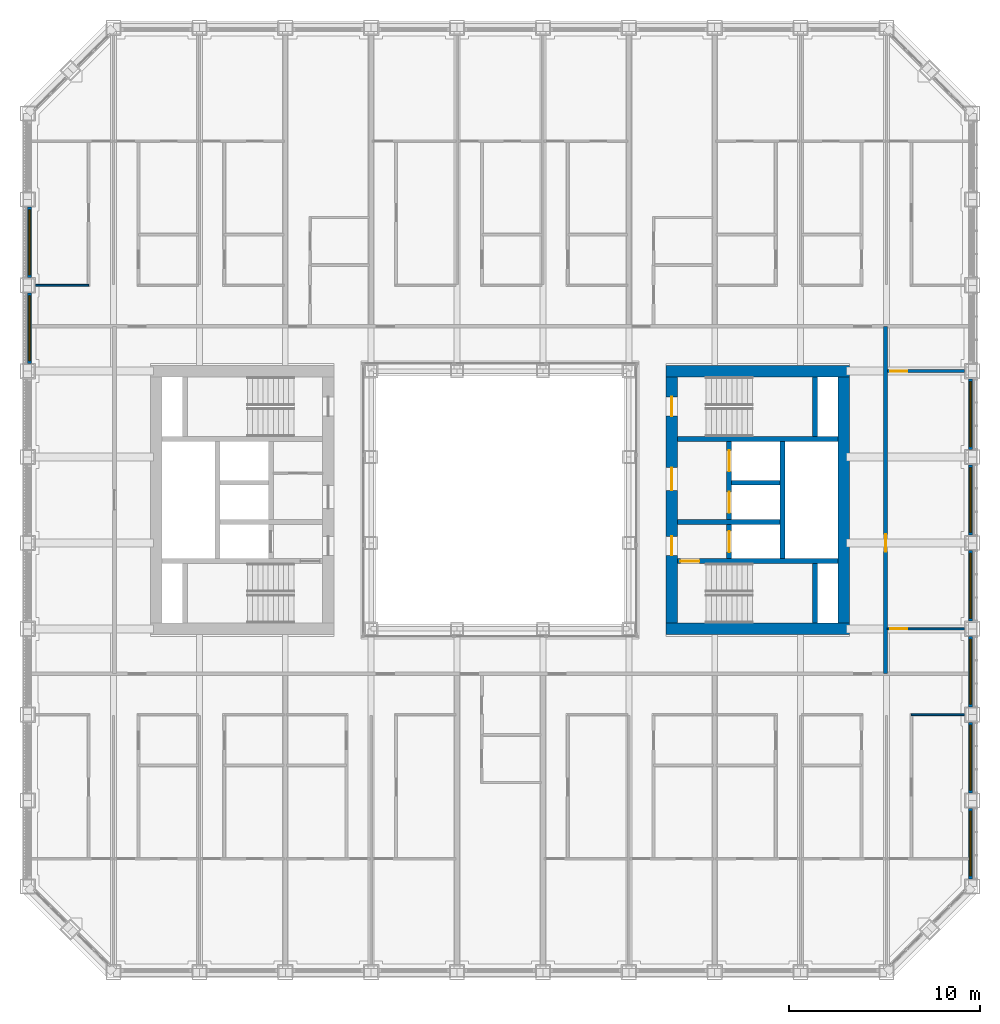
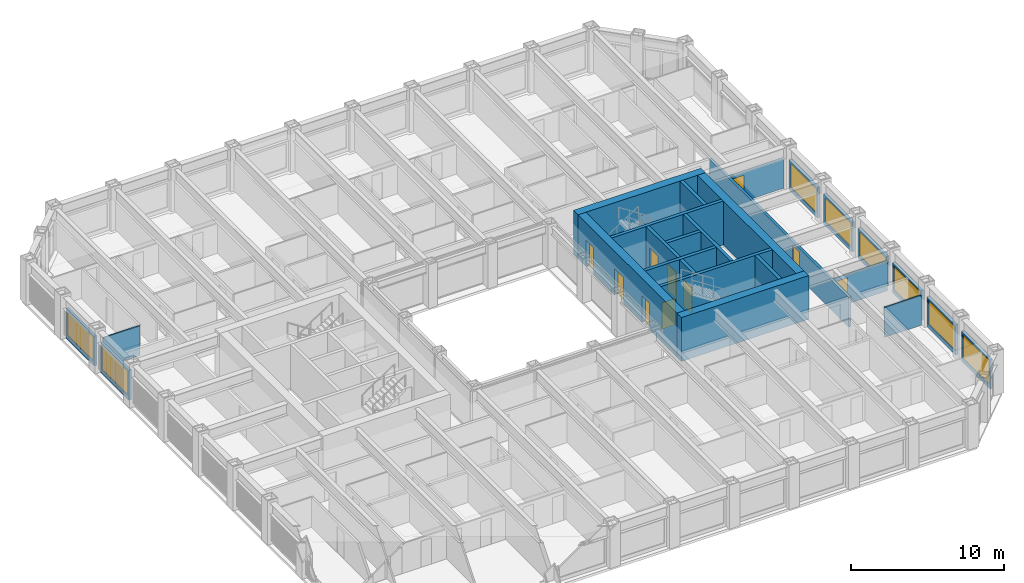
# One storey, part 12 of 20: 25 walls, 10 doors, 8 windows, 18 openings.
"""IFC4 building model written with IfcOpenShell, lengths in metres."""

from ifc_helpers import new_model, si_unit, direction, frame, frame_2d, origin, place, context, subcontext, project, spatial, rectangle, extrude, material, layer, layer_set, type_object, element, fill, save


model = new_model("IFC4")

# Units and contexts
model_context = context("Model", 3, precision=1e-05, world=origin(), true_north=direction((0.0, 1.0)))
body_context = subcontext(model_context, "Body", "Model", "MODEL_VIEW")
ifc_project = project(units=[si_unit("LENGTHUNIT", "METRE"), si_unit("AREAUNIT", "SQUARE_METRE"), si_unit("VOLUMEUNIT", "CUBIC_METRE"), si_unit("PLANEANGLEUNIT", "RADIAN"), si_unit("MASSUNIT", "GRAM", prefix="KILO")], contexts=[model_context])

# Site, building, storey
site_placement = place(None, origin())
site = spatial("IfcSite", under=ifc_project, at=site_placement, CompositionType="ELEMENT")
building_placement = place(site_placement, origin())
building = spatial("IfcBuilding", under=site, at=building_placement, Name="Msasa Ring Tower", CompositionType="ELEMENT")
storey_placement = place(building_placement, frame((0.0, 0.0, 61.5)))
storey = spatial("IfcBuildingStorey", under=building, at=storey_placement, Name="L15", CompositionType="ELEMENT", Elevation=61.5)

# Walls
ifc_material_1 = material(Name="Concrete C60/75", Category="concrete")
ifc_layer_1 = layer(ifc_material_1, 0.60009765625)
ifc_layer_set_1 = layer_set([ifc_layer_1], Name="CW1 CORE WALL 600")
wall_type_1 = type_object("IfcWallType", Name="CW1 CORE WALL 600", PredefinedType="SHEAR", material=ifc_layer_set_1)
for number, where, z_axis, x_axis, name in (
    (1, (8.699951171875, -6.75, 0.0), (0.0, 0.0, 1.0), (1.0, 0.0, 0.0), "E core wall S L15"),
    (2, (8.699951171875, 6.75, 0.0), (0.0, 0.0, 1.0), (1.0, 0.0, 0.0), "E core wall N L15"),
):
    element("IfcWall", number, at=place(storey_placement, frame(where, z_axis=z_axis, x_axis=x_axis)), inside=storey, type_object=wall_type_1, Name=name, PredefinedType="SHEAR", context=body_context, shape_type="SweptSolid", body=[
        extrude(rectangle(XDim=9.60009765625, YDim=0.60009765625, at=frame_2d((4.800048828125, 0.0))), origin(), (0.0, 0.0, 1.0), 3.5),
    ])

# Wall, openings, doors
wall_1_placement = place(storey_placement, frame((9.0, -6.449951171875, 0.0), z_axis=(0.0, 0.0, 1.0), x_axis=(0.0, 1.0, 0.0)))
wall_1 = element("IfcWall", 3, at=wall_1_placement, inside=storey, type_object=wall_type_1, Name="E core wall W L15", PredefinedType="SHEAR", context=body_context, shape_type="SweptSolid", body=[
    extrude(rectangle(XDim=12.89990234375, YDim=0.60009765625, at=frame_2d((6.449951171875, 0.0))), origin(), (0.0, 0.0, 1.0), 3.5),
])
opening_1_placement = place(wall_1_placement, frame((3.550048828125, 0.0, 0.0)))
opening_1 = element("IfcOpeningElement", 4, at=opening_1_placement, cuts=wall_1, Name="Opening RD-043", PredefinedType="OPENING", context=body_context, shape_type="SweptSolid", body=[
    extrude(rectangle(XDim=1.0, YDim=2.10009765625, at=frame_2d((0.5, 1.050048828125))), frame((0.0, 0.31005859375, 0.0), z_axis=(0.0, -1.0, 0.0), x_axis=(1.0, 0.0, 0.0)), (0.0, 0.0, 1.0), 0.6201171875),
])
opening_2_placement = place(wall_1_placement, frame((6.949951171875, 0.0, 0.0)))
opening_2 = element("IfcOpeningElement", 5, at=opening_2_placement, cuts=wall_1, Name="Opening RD-038", PredefinedType="OPENING", context=body_context, shape_type="SweptSolid", body=[
    extrude(rectangle(XDim=1.199951171875, YDim=2.10009765625, at=frame_2d((0.60009765625, 1.050048828125))), frame((0.0, 0.31005859375, 0.0), z_axis=(0.0, -1.0, 0.0), x_axis=(1.0, 0.0, 0.0)), (0.0, 0.0, 1.0), 0.6201171875),
])
opening_3_placement = place(wall_1_placement, frame((10.85009765625, 0.0, 0.0)))
opening_3 = element("IfcOpeningElement", 6, at=opening_3_placement, cuts=wall_1, Name="Opening RD-036", PredefinedType="OPENING", context=body_context, shape_type="SweptSolid", body=[
    extrude(rectangle(XDim=1.0, YDim=2.10009765625, at=frame_2d((0.5, 1.050048828125))), frame((0.0, 0.31005859375, 0.0), z_axis=(0.0, -1.0, 0.0), x_axis=(1.0, 0.0, 0.0)), (0.0, 0.0, 1.0), 0.6201171875),
])
ifc_material_2 = material(Name="Timber door leaf in a steel frame", Category="steel")
door_type_1 = type_object("IfcDoorType", Name="D4 LOBBY DOOR 1000x2100", OperationType="SINGLE_SWING_LEFT", PredefinedType="DOOR", material=ifc_material_2)
door_1_placement = place(opening_1_placement, origin())
door_1 = element("IfcDoor", 7, at=door_1_placement, inside=storey, type_object=door_type_1, Name="Door L15-EFFL", OperationType="SINGLE_SWING_LEFT", OverallHeight=2.10009765625, OverallWidth=1.0, PredefinedType="DOOR", context=body_context, shape_type="SweptSolid", body=[
    extrude(rectangle(XDim=1.0, YDim=2.10009765625, at=frame_2d((0.5, 1.050048828125))), frame((0.0, 0.02490234375, 0.0), z_axis=(0.0, -1.0, 0.0), x_axis=(1.0, 0.0, 0.0)), (0.0, 0.0, 1.0), 0.050048828125),
])
fill(opening_1, door_1)
ifc_material_3 = material(Name="Timber door leaf in a steel frame", Category="steel")
door_type_2 = type_object("IfcDoorType", Name="D5 WIDE LOBBY DOOR 1200x2100", OperationType="SINGLE_SWING_LEFT", PredefinedType="DOOR", material=ifc_material_3)
door_2_placement = place(opening_2_placement, origin())
door_2 = element("IfcDoor", 8, at=door_2_placement, inside=storey, type_object=door_type_2, Name="Door L15-ELL", OperationType="SINGLE_SWING_RIGHT", OverallHeight=2.10009765625, OverallWidth=1.199951171875, PredefinedType="DOOR", context=body_context, shape_type="SweptSolid", body=[
    extrude(rectangle(XDim=1.199951171875, YDim=2.10009765625, at=frame_2d((0.60009765625, 1.050048828125))), frame((0.0, 0.02490234375, 0.0), z_axis=(0.0, -1.0, 0.0), x_axis=(1.0, 0.0, 0.0)), (0.0, 0.0, 1.0), 0.050048828125),
])
fill(opening_2, door_2)
ifc_material_4 = material(Name="Timber door leaf in a steel frame", Category="steel")
door_type_3 = type_object("IfcDoorType", Name="D6 STAIR DOOR 1000x2100", OperationType="SINGLE_SWING_LEFT", PredefinedType="DOOR", material=ifc_material_4)
door_3_placement = place(opening_3_placement, origin())
door_3 = element("IfcDoor", 9, at=door_3_placement, inside=storey, type_object=door_type_3, Name="Door L15-ESTB", OperationType="SINGLE_SWING_RIGHT", OverallHeight=2.10009765625, OverallWidth=1.0, PredefinedType="DOOR", context=body_context, shape_type="SweptSolid", body=[
    extrude(rectangle(XDim=1.0, YDim=2.10009765625, at=frame_2d((0.5, 1.050048828125))), frame((0.0, 0.02490234375, 0.0), z_axis=(0.0, -1.0, 0.0), x_axis=(1.0, 0.0, 0.0)), (0.0, 0.0, 1.0), 0.050048828125),
])
fill(opening_3, door_3)

# Wall
wall_2_placement = place(storey_placement, frame((18.0, -6.449951171875, 0.0), z_axis=(0.0, 0.0, 1.0), x_axis=(0.0, 1.0, 0.0)))
element("IfcWall", 10, at=wall_2_placement, inside=storey, type_object=wall_type_1, Name="E core wall E L15", PredefinedType="SHEAR", context=body_context, shape_type="SweptSolid", body=[
    extrude(rectangle(XDim=12.89990234375, YDim=0.60009765625, at=frame_2d((6.449951171875, 0.0))), origin(), (0.0, 0.0, 1.0), 3.5),
])

# Wall, opening, door
ifc_material_5 = material(Name="Concrete C60/75", Category="concrete")
ifc_layer_2 = layer(ifc_material_5, 0.25)
ifc_layer_set_2 = layer_set([ifc_layer_2], Name="CW4 CORE INNER WALL 250")
wall_type_2 = type_object("IfcWallType", Name="CW4 CORE INNER WALL 250", PredefinedType="SHEAR", material=ifc_layer_set_2)
wall_3_placement = place(storey_placement, frame((9.300048828125, -3.199951171875, 0.0), z_axis=(0.0, 0.0, 1.0), x_axis=(1.0, 0.0, 0.0)))
wall_3 = element("IfcWall", 11, at=wall_3_placement, inside=storey, type_object=wall_type_2, Name="E core wall STAIRA L15", PredefinedType="SHEAR", context=body_context, shape_type="SweptSolid", body=[
    extrude(rectangle(XDim=8.39990234375, YDim=0.25, at=frame_2d((4.199951171875, 0.0))), origin(), (0.0, 0.0, 1.0), 3.5),
])
opening_4_placement = place(wall_3_placement, frame((0.14990234375, 0.0, 0.0)))
opening_4 = element("IfcOpeningElement", 12, at=opening_4_placement, cuts=wall_3, Name="Opening RD-045", PredefinedType="OPENING", context=body_context, shape_type="SweptSolid", body=[
    extrude(rectangle(XDim=1.0, YDim=2.10009765625, at=frame_2d((0.5, 1.050048828125))), frame((0.0, 0.135009765625, 0.0), z_axis=(0.0, -1.0, 0.0), x_axis=(1.0, 0.0, 0.0)), (0.0, 0.0, 1.0), 0.27001953125),
])
door_4_placement = place(opening_4_placement, origin())
door_4 = element("IfcDoor", 13, at=door_4_placement, inside=storey, type_object=door_type_3, Name="Door L15-ESTA", OperationType="SINGLE_SWING_LEFT", OverallHeight=2.10009765625, OverallWidth=1.0, PredefinedType="DOOR", context=body_context, shape_type="SweptSolid", body=[
    extrude(rectangle(XDim=1.0, YDim=2.10009765625, at=frame_2d((0.5, 1.050048828125))), frame((0.0, 0.02490234375, 0.0), z_axis=(0.0, -1.0, 0.0), x_axis=(1.0, 0.0, 0.0)), (0.0, 0.0, 1.0), 0.050048828125),
])
fill(opening_4, door_4)

# Walls
wall_4_placement = place(storey_placement, frame((9.300048828125, 3.199951171875, 0.0), z_axis=(0.0, 0.0, 1.0), x_axis=(1.0, 0.0, 0.0)))
element("IfcWall", 14, at=wall_4_placement, inside=storey, type_object=wall_type_2, Name="E core wall STAIRB L15", PredefinedType="SHEAR", context=body_context, shape_type="SweptSolid", body=[
    extrude(rectangle(XDim=8.39990234375, YDim=0.25, at=frame_2d((4.199951171875, 0.0))), origin(), (0.0, 0.0, 1.0), 3.5),
])
for number, where, z_axis, x_axis, name in (
    (15, (16.5, -6.449951171875, 0.0), (0.0, 0.0, 1.0), (0.0, 1.0, 0.0), "E core wall RISERA L15"),
    (16, (16.5, 3.324951171875, 0.0), (0.0, 0.0, 1.0), (0.0, 1.0, 0.0), "E core wall RISERB L15"),
):
    element("IfcWall", number, at=place(storey_placement, frame(where, z_axis=z_axis, x_axis=x_axis)), inside=storey, type_object=wall_type_2, Name=name, PredefinedType="SHEAR", context=body_context, shape_type="SweptSolid", body=[
        extrude(rectangle(XDim=3.125, YDim=0.25, at=frame_2d((1.5625, 0.0))), origin(), (0.0, 0.0, 1.0), 3.5),
    ])
wall_5_placement = place(storey_placement, frame((9.300048828125, -1.14990234375, 0.0), z_axis=(0.0, 0.0, 1.0), x_axis=(1.0, 0.0, 0.0)))
element("IfcWall", 17, at=wall_5_placement, inside=storey, type_object=wall_type_2, Name="E core wall FFL L15", PredefinedType="SHEAR", context=body_context, shape_type="SweptSolid", body=[
    extrude(rectangle(XDim=5.375, YDim=0.25, at=frame_2d((2.6875, 0.0))), origin(), (0.0, 0.0, 1.0), 3.5),
])

# Wall, openings, doors
wall_6_placement = place(storey_placement, frame((12.0, -3.074951171875, 0.0), z_axis=(0.0, 0.0, 1.0), x_axis=(0.0, 1.0, 0.0)))
wall_6 = element("IfcWall", 18, at=wall_6_placement, inside=storey, type_object=wall_type_2, Name="E core wall LOBBY L15", PredefinedType="SHEAR", context=body_context, shape_type="SweptSolid", body=[
    extrude(rectangle(XDim=6.14990234375, YDim=0.25, at=frame_2d((3.074951171875, 0.0))), origin(), (0.0, 0.0, 1.0), 3.5),
])
opening_5_placement = place(wall_6_placement, frame((0.35009765625, 0.0, 0.0)))
opening_5 = element("IfcOpeningElement", 19, at=opening_5_placement, cuts=wall_6, Name="Opening LD1", PredefinedType="OPENING", context=body_context, shape_type="SweptSolid", body=[
    extrude(rectangle(XDim=1.10009765625, YDim=2.10009765625, at=frame_2d((0.550048828125, 1.050048828125))), frame((0.0, 0.135009765625, 0.0), z_axis=(0.0, -1.0, 0.0), x_axis=(1.0, 0.0, 0.0)), (0.0, 0.0, 1.0), 0.27001953125),
])
opening_6_placement = place(wall_6_placement, frame((2.39990234375, 0.0, 0.0)))
opening_6 = element("IfcOpeningElement", 20, at=opening_6_placement, cuts=wall_6, Name="Opening LD1", PredefinedType="OPENING", context=body_context, shape_type="SweptSolid", body=[
    extrude(rectangle(XDim=1.10009765625, YDim=2.10009765625, at=frame_2d((0.550048828125, 1.050048828125))), frame((0.0, 0.135009765625, 0.0), z_axis=(0.0, -1.0, 0.0), x_axis=(1.0, 0.0, 0.0)), (0.0, 0.0, 1.0), 0.27001953125),
])
opening_7_placement = place(wall_6_placement, frame((4.574951171875, 0.0, 0.0)))
opening_7 = element("IfcOpeningElement", 21, at=opening_7_placement, cuts=wall_6, Name="Opening LD1", PredefinedType="OPENING", context=body_context, shape_type="SweptSolid", body=[
    extrude(rectangle(XDim=1.10009765625, YDim=2.10009765625, at=frame_2d((0.550048828125, 1.050048828125))), frame((0.0, 0.135009765625, 0.0), z_axis=(0.0, -1.0, 0.0), x_axis=(1.0, 0.0, 0.0)), (0.0, 0.0, 1.0), 0.27001953125),
])
ifc_material_6 = material(Name="Stainless steel lift landing door", Category="steel")
door_type_4 = type_object("IfcDoorType", Name="LD1 LIFT LANDING DOOR 1100x2100", OperationType="DOUBLE_DOOR_SLIDING", PredefinedType="DOOR", material=ifc_material_6)
door_5_placement = place(opening_5_placement, origin())
door_5 = element("IfcDoor", 22, at=door_5_placement, inside=storey, type_object=door_type_4, Name="Lift landing door FL-E L15", OperationType="DOUBLE_DOOR_SLIDING", OverallHeight=2.10009765625, OverallWidth=1.10009765625, PredefinedType="DOOR", context=body_context, shape_type="SweptSolid", body=[
    extrude(rectangle(XDim=1.10009765625, YDim=2.10009765625, at=frame_2d((0.550048828125, 1.050048828125))), frame((0.0, 0.02490234375, 0.0), z_axis=(0.0, -1.0, 0.0), x_axis=(1.0, 0.0, 0.0)), (0.0, 0.0, 1.0), 0.050048828125),
])
fill(opening_5, door_5)
door_6_placement = place(opening_6_placement, origin())
door_6 = element("IfcDoor", 23, at=door_6_placement, inside=storey, type_object=door_type_4, Name="Lift landing door PL-R1 L15", OperationType="DOUBLE_DOOR_SLIDING", OverallHeight=2.10009765625, OverallWidth=1.10009765625, PredefinedType="DOOR", context=body_context, shape_type="SweptSolid", body=[
    extrude(rectangle(XDim=1.10009765625, YDim=2.10009765625, at=frame_2d((0.550048828125, 1.050048828125))), frame((0.0, 0.02490234375, 0.0), z_axis=(0.0, -1.0, 0.0), x_axis=(1.0, 0.0, 0.0)), (0.0, 0.0, 1.0), 0.050048828125),
])
fill(opening_6, door_6)
door_7_placement = place(opening_7_placement, origin())
door_7 = element("IfcDoor", 24, at=door_7_placement, inside=storey, type_object=door_type_4, Name="Lift landing door PL-R2 L15", OperationType="DOUBLE_DOOR_SLIDING", OverallHeight=2.10009765625, OverallWidth=1.10009765625, PredefinedType="DOOR", context=body_context, shape_type="SweptSolid", body=[
    extrude(rectangle(XDim=1.10009765625, YDim=2.10009765625, at=frame_2d((0.550048828125, 1.050048828125))), frame((0.0, 0.02490234375, 0.0), z_axis=(0.0, -1.0, 0.0), x_axis=(1.0, 0.0, 0.0)), (0.0, 0.0, 1.0), 0.050048828125),
])
fill(opening_7, door_7)

# Walls
wall_7_placement = place(storey_placement, frame((14.800048828125, -3.074951171875, 0.0), z_axis=(0.0, 0.0, 1.0), x_axis=(0.0, 1.0, 0.0)))
element("IfcWall", 25, at=wall_7_placement, inside=storey, type_object=wall_type_2, Name="E core wall SHAFT L15", PredefinedType="SHEAR", context=body_context, shape_type="SweptSolid", body=[
    extrude(rectangle(XDim=6.14990234375, YDim=0.25, at=frame_2d((3.074951171875, 0.0))), origin(), (0.0, 0.0, 1.0), 3.5),
])
wall_8_placement = place(storey_placement, frame((12.125, 0.89990234375, 0.0), z_axis=(0.0, 0.0, 1.0), x_axis=(1.0, 0.0, 0.0)))
element("IfcWall", 26, at=wall_8_placement, inside=storey, type_object=wall_type_2, Name="E core wall LIFT1 L15", PredefinedType="SHEAR", context=body_context, shape_type="SweptSolid", body=[
    extrude(rectangle(XDim=2.550048828125, YDim=0.25, at=frame_2d((1.27490234375, 0.0))), origin(), (0.0, 0.0, 1.0), 3.5),
])

# Wall, opening, window
ifc_material_7 = material(Name="Terracotta rainscreen on blockwork", Category="masonry")
ifc_layer_3 = layer(ifc_material_7, 0.199951171875)
ifc_layer_set_3 = layer_set([ifc_layer_3], Name="FW1 TERRACOTTA-LINED INFILL BAY WALL 200")
wall_type_3 = type_object("IfcWallType", Name="FW1 TERRACOTTA-LINED INFILL BAY WALL 200", PredefinedType="SOLIDWALL", material=ifc_layer_set_3)
wall_9_placement = place(storey_placement, frame((24.64990234375, -19.844970703125, 0.0), z_axis=(0.0, 0.0, 1.0), x_axis=(0.0, 1.0, 0.0)))
wall_9 = element("IfcWall", 27, at=wall_9_placement, inside=storey, type_object=wall_type_3, Name="Infill bay wall E L15 11", PredefinedType="SOLIDWALL", context=body_context, shape_type="SweptSolid", body=[
    extrude(rectangle(XDim=3.68994140625, YDim=0.199951171875, at=frame_2d((1.844970703125, 0.0))), origin(), (0.0, 0.0, 1.0), 2.37890625),
])
opening_8_placement = place(wall_9_placement, frame((0.14501953125, 0.0, 0.300048828125)))
opening_8 = element("IfcOpeningElement", 28, at=opening_8_placement, cuts=wall_9, Name="Opening WN1", PredefinedType="OPENING", context=body_context, shape_type="SweptSolid", body=[
    extrude(rectangle(XDim=3.39990234375, YDim=1.928955078125, at=frame_2d((1.699951171875, 0.96435546875))), frame((0.0, 0.10986328125, 0.0), z_axis=(0.0, -1.0, 0.0), x_axis=(1.0, 0.0, 0.0)), (0.0, 0.0, 1.0), 0.219970703125),
])
ifc_material_8 = material(Name="Aluminium frame with clear glass", Category="aluminium")
window_type = type_object("IfcWindowType", Name="WN1 RESIDENCE WINDOW 3400x1929", PartitioningType="SINGLE_PANEL", PredefinedType="WINDOW", material=ifc_material_8)
window_1_placement = place(opening_8_placement, origin())
window_1 = element("IfcWindow", 29, at=window_1_placement, inside=storey, type_object=window_type, Name="Window E L15 11", OverallHeight=1.928955078125, OverallWidth=3.39990234375, PartitioningType="SINGLE_PANEL", PredefinedType="WINDOW", context=body_context, shape_type="SweptSolid", body=[
    extrude(rectangle(XDim=3.39990234375, YDim=1.928955078125, at=frame_2d((1.699951171875, 0.96435546875))), frame((0.0, 0.030029296875, 0.0), z_axis=(0.0, -1.0, 0.0), x_axis=(1.0, 0.0, 0.0)), (0.0, 0.0, 1.0), 0.06005859375),
])
fill(opening_8, window_1)

wall_10_placement = place(storey_placement, frame((24.64990234375, -15.344970703125, 0.0), z_axis=(0.0, 0.0, 1.0), x_axis=(0.0, 1.0, 0.0)))
wall_10 = element("IfcWall", 30, at=wall_10_placement, inside=storey, type_object=wall_type_3, Name="Infill bay wall E L15 12", PredefinedType="SOLIDWALL", context=body_context, shape_type="SweptSolid", body=[
    extrude(rectangle(XDim=3.68994140625, YDim=0.199951171875, at=frame_2d((1.844970703125, 0.0))), origin(), (0.0, 0.0, 1.0), 2.37890625),
])
opening_9_placement = place(wall_10_placement, frame((0.14501953125, 0.0, 0.300048828125)))
opening_9 = element("IfcOpeningElement", 31, at=opening_9_placement, cuts=wall_10, Name="Opening WN1", PredefinedType="OPENING", context=body_context, shape_type="SweptSolid", body=[
    extrude(rectangle(XDim=3.39990234375, YDim=1.928955078125, at=frame_2d((1.699951171875, 0.96435546875))), frame((0.0, 0.10986328125, 0.0), z_axis=(0.0, -1.0, 0.0), x_axis=(1.0, 0.0, 0.0)), (0.0, 0.0, 1.0), 0.219970703125),
])
window_2_placement = place(opening_9_placement, origin())
window_2 = element("IfcWindow", 32, at=window_2_placement, inside=storey, type_object=window_type, Name="Window E L15 12", OverallHeight=1.928955078125, OverallWidth=3.39990234375, PartitioningType="SINGLE_PANEL", PredefinedType="WINDOW", context=body_context, shape_type="SweptSolid", body=[
    extrude(rectangle(XDim=3.39990234375, YDim=1.928955078125, at=frame_2d((1.699951171875, 0.96435546875))), frame((0.0, 0.030029296875, 0.0), z_axis=(0.0, -1.0, 0.0), x_axis=(1.0, 0.0, 0.0)), (0.0, 0.0, 1.0), 0.06005859375),
])
fill(opening_9, window_2)

wall_11_placement = place(storey_placement, frame((24.64990234375, -10.844970703125, 0.0), z_axis=(0.0, 0.0, 1.0), x_axis=(0.0, 1.0, 0.0)))
wall_11 = element("IfcWall", 33, at=wall_11_placement, inside=storey, type_object=wall_type_3, Name="Infill bay wall E L15 13", PredefinedType="SOLIDWALL", context=body_context, shape_type="SweptSolid", body=[
    extrude(rectangle(XDim=3.68994140625, YDim=0.199951171875, at=frame_2d((1.844970703125, 0.0))), origin(), (0.0, 0.0, 1.0), 2.37890625),
])
opening_10_placement = place(wall_11_placement, frame((0.14501953125, 0.0, 0.300048828125)))
opening_10 = element("IfcOpeningElement", 34, at=opening_10_placement, cuts=wall_11, Name="Opening WN1", PredefinedType="OPENING", context=body_context, shape_type="SweptSolid", body=[
    extrude(rectangle(XDim=3.39990234375, YDim=1.928955078125, at=frame_2d((1.699951171875, 0.96435546875))), frame((0.0, 0.10986328125, 0.0), z_axis=(0.0, -1.0, 0.0), x_axis=(1.0, 0.0, 0.0)), (0.0, 0.0, 1.0), 0.219970703125),
])
window_3_placement = place(opening_10_placement, origin())
window_3 = element("IfcWindow", 35, at=window_3_placement, inside=storey, type_object=window_type, Name="Window E L15 13", OverallHeight=1.928955078125, OverallWidth=3.39990234375, PartitioningType="SINGLE_PANEL", PredefinedType="WINDOW", context=body_context, shape_type="SweptSolid", body=[
    extrude(rectangle(XDim=3.39990234375, YDim=1.928955078125, at=frame_2d((1.699951171875, 0.96435546875))), frame((0.0, 0.030029296875, 0.0), z_axis=(0.0, -1.0, 0.0), x_axis=(1.0, 0.0, 0.0)), (0.0, 0.0, 1.0), 0.06005859375),
])
fill(opening_10, window_3)

wall_12_placement = place(storey_placement, frame((24.64990234375, -6.344970703125, 0.0), z_axis=(0.0, 0.0, 1.0), x_axis=(0.0, 1.0, 0.0)))
wall_12 = element("IfcWall", 36, at=wall_12_placement, inside=storey, type_object=wall_type_3, Name="Infill bay wall E L15 14", PredefinedType="SOLIDWALL", context=body_context, shape_type="SweptSolid", body=[
    extrude(rectangle(XDim=3.68994140625, YDim=0.199951171875, at=frame_2d((1.844970703125, 0.0))), origin(), (0.0, 0.0, 1.0), 2.37890625),
])
opening_11_placement = place(wall_12_placement, frame((0.14501953125, 0.0, 0.300048828125)))
opening_11 = element("IfcOpeningElement", 37, at=opening_11_placement, cuts=wall_12, Name="Opening WN1", PredefinedType="OPENING", context=body_context, shape_type="SweptSolid", body=[
    extrude(rectangle(XDim=3.39990234375, YDim=1.928955078125, at=frame_2d((1.699951171875, 0.96435546875))), frame((0.0, 0.10986328125, 0.0), z_axis=(0.0, -1.0, 0.0), x_axis=(1.0, 0.0, 0.0)), (0.0, 0.0, 1.0), 0.219970703125),
])
window_4_placement = place(opening_11_placement, origin())
window_4 = element("IfcWindow", 38, at=window_4_placement, inside=storey, type_object=window_type, Name="Window E L15 14", OverallHeight=1.928955078125, OverallWidth=3.39990234375, PartitioningType="SINGLE_PANEL", PredefinedType="WINDOW", context=body_context, shape_type="SweptSolid", body=[
    extrude(rectangle(XDim=3.39990234375, YDim=1.928955078125, at=frame_2d((1.699951171875, 0.96435546875))), frame((0.0, 0.030029296875, 0.0), z_axis=(0.0, -1.0, 0.0), x_axis=(1.0, 0.0, 0.0)), (0.0, 0.0, 1.0), 0.06005859375),
])
fill(opening_11, window_4)

wall_13_placement = place(storey_placement, frame((24.64990234375, -1.844970703125, 0.0), z_axis=(0.0, 0.0, 1.0), x_axis=(0.0, 1.0, 0.0)))
wall_13 = element("IfcWall", 39, at=wall_13_placement, inside=storey, type_object=wall_type_3, Name="Infill bay wall E L15 15", PredefinedType="SOLIDWALL", context=body_context, shape_type="SweptSolid", body=[
    extrude(rectangle(XDim=3.68994140625, YDim=0.199951171875, at=frame_2d((1.844970703125, 0.0))), origin(), (0.0, 0.0, 1.0), 2.37890625),
])
opening_12_placement = place(wall_13_placement, frame((0.14501953125, 0.0, 0.300048828125)))
opening_12 = element("IfcOpeningElement", 40, at=opening_12_placement, cuts=wall_13, Name="Opening WN1", PredefinedType="OPENING", context=body_context, shape_type="SweptSolid", body=[
    extrude(rectangle(XDim=3.39990234375, YDim=1.928955078125, at=frame_2d((1.699951171875, 0.96435546875))), frame((0.0, 0.10986328125, 0.0), z_axis=(0.0, -1.0, 0.0), x_axis=(1.0, 0.0, 0.0)), (0.0, 0.0, 1.0), 0.219970703125),
])
window_5_placement = place(opening_12_placement, origin())
window_5 = element("IfcWindow", 41, at=window_5_placement, inside=storey, type_object=window_type, Name="Window E L15 15", OverallHeight=1.928955078125, OverallWidth=3.39990234375, PartitioningType="SINGLE_PANEL", PredefinedType="WINDOW", context=body_context, shape_type="SweptSolid", body=[
    extrude(rectangle(XDim=3.39990234375, YDim=1.928955078125, at=frame_2d((1.699951171875, 0.96435546875))), frame((0.0, 0.030029296875, 0.0), z_axis=(0.0, -1.0, 0.0), x_axis=(1.0, 0.0, 0.0)), (0.0, 0.0, 1.0), 0.06005859375),
])
fill(opening_12, window_5)

wall_14_placement = place(storey_placement, frame((24.64990234375, 2.655029296875, 0.0), z_axis=(0.0, 0.0, 1.0), x_axis=(0.0, 1.0, 0.0)))
wall_14 = element("IfcWall", 42, at=wall_14_placement, inside=storey, type_object=wall_type_3, Name="Infill bay wall E L15 16", PredefinedType="SOLIDWALL", context=body_context, shape_type="SweptSolid", body=[
    extrude(rectangle(XDim=3.68994140625, YDim=0.199951171875, at=frame_2d((1.844970703125, 0.0))), origin(), (0.0, 0.0, 1.0), 2.37890625),
])
opening_13_placement = place(wall_14_placement, frame((0.14501953125, 0.0, 0.300048828125)))
opening_13 = element("IfcOpeningElement", 43, at=opening_13_placement, cuts=wall_14, Name="Opening WN1", PredefinedType="OPENING", context=body_context, shape_type="SweptSolid", body=[
    extrude(rectangle(XDim=3.39990234375, YDim=1.928955078125, at=frame_2d((1.699951171875, 0.96435546875))), frame((0.0, 0.10986328125, 0.0), z_axis=(0.0, -1.0, 0.0), x_axis=(1.0, 0.0, 0.0)), (0.0, 0.0, 1.0), 0.219970703125),
])
window_6_placement = place(opening_13_placement, origin())
window_6 = element("IfcWindow", 44, at=window_6_placement, inside=storey, type_object=window_type, Name="Window E L15 16", OverallHeight=1.928955078125, OverallWidth=3.39990234375, PartitioningType="SINGLE_PANEL", PredefinedType="WINDOW", context=body_context, shape_type="SweptSolid", body=[
    extrude(rectangle(XDim=3.39990234375, YDim=1.928955078125, at=frame_2d((1.699951171875, 0.96435546875))), frame((0.0, 0.030029296875, 0.0), z_axis=(0.0, -1.0, 0.0), x_axis=(1.0, 0.0, 0.0)), (0.0, 0.0, 1.0), 0.06005859375),
])
fill(opening_13, window_6)

wall_15_placement = place(storey_placement, frame((-24.64990234375, 7.155029296875, 0.0), z_axis=(0.0, 0.0, 1.0), x_axis=(0.0, 1.0, 0.0)))
wall_15 = element("IfcWall", 45, at=wall_15_placement, inside=storey, type_object=wall_type_3, Name="Infill bay wall W L15 39", PredefinedType="SOLIDWALL", context=body_context, shape_type="SweptSolid", body=[
    extrude(rectangle(XDim=3.68994140625, YDim=0.199951171875, at=frame_2d((1.844970703125, 0.0))), origin(), (0.0, 0.0, 1.0), 2.37890625),
])
opening_14_placement = place(wall_15_placement, frame((0.14501953125, 0.0, 0.300048828125)))
opening_14 = element("IfcOpeningElement", 46, at=opening_14_placement, cuts=wall_15, Name="Opening WN1", PredefinedType="OPENING", context=body_context, shape_type="SweptSolid", body=[
    extrude(rectangle(XDim=3.39990234375, YDim=1.928955078125, at=frame_2d((1.699951171875, 0.96435546875))), frame((0.0, 0.10986328125, 0.0), z_axis=(0.0, -1.0, 0.0), x_axis=(1.0, 0.0, 0.0)), (0.0, 0.0, 1.0), 0.219970703125),
])
window_7_placement = place(opening_14_placement, origin())
window_7 = element("IfcWindow", 47, at=window_7_placement, inside=storey, type_object=window_type, Name="Window W L15 39", OverallHeight=1.928955078125, OverallWidth=3.39990234375, PartitioningType="SINGLE_PANEL", PredefinedType="WINDOW", context=body_context, shape_type="SweptSolid", body=[
    extrude(rectangle(XDim=3.39990234375, YDim=1.928955078125, at=frame_2d((1.699951171875, 0.96435546875))), frame((0.0, 0.030029296875, 0.0), z_axis=(0.0, -1.0, 0.0), x_axis=(1.0, 0.0, 0.0)), (0.0, 0.0, 1.0), 0.06005859375),
])
fill(opening_14, window_7)

wall_16_placement = place(storey_placement, frame((-24.64990234375, 11.655029296875, 0.0), z_axis=(0.0, 0.0, 1.0), x_axis=(0.0, 1.0, 0.0)))
wall_16 = element("IfcWall", 48, at=wall_16_placement, inside=storey, type_object=wall_type_3, Name="Infill bay wall W L15 40", PredefinedType="SOLIDWALL", context=body_context, shape_type="SweptSolid", body=[
    extrude(rectangle(XDim=3.68994140625, YDim=0.199951171875, at=frame_2d((1.844970703125, 0.0))), origin(), (0.0, 0.0, 1.0), 2.37890625),
])
opening_15_placement = place(wall_16_placement, frame((0.14501953125, 0.0, 0.300048828125)))
opening_15 = element("IfcOpeningElement", 49, at=opening_15_placement, cuts=wall_16, Name="Opening WN1", PredefinedType="OPENING", context=body_context, shape_type="SweptSolid", body=[
    extrude(rectangle(XDim=3.39990234375, YDim=1.928955078125, at=frame_2d((1.699951171875, 0.96435546875))), frame((0.0, 0.10986328125, 0.0), z_axis=(0.0, -1.0, 0.0), x_axis=(1.0, 0.0, 0.0)), (0.0, 0.0, 1.0), 0.219970703125),
])
window_8_placement = place(opening_15_placement, origin())
window_8 = element("IfcWindow", 50, at=window_8_placement, inside=storey, type_object=window_type, Name="Window W L15 40", OverallHeight=1.928955078125, OverallWidth=3.39990234375, PartitioningType="SINGLE_PANEL", PredefinedType="WINDOW", context=body_context, shape_type="SweptSolid", body=[
    extrude(rectangle(XDim=3.39990234375, YDim=1.928955078125, at=frame_2d((1.699951171875, 0.96435546875))), frame((0.0, 0.030029296875, 0.0), z_axis=(0.0, -1.0, 0.0), x_axis=(1.0, 0.0, 0.0)), (0.0, 0.0, 1.0), 0.06005859375),
])
fill(opening_15, window_8)

# Wall, opening, door
ifc_material_9 = material(Name="Concrete blockwork", Category="masonry")
ifc_layer_4 = layer(ifc_material_9, 0.199951171875)
ifc_layer_set_4 = layer_set([ifc_layer_4], Name="PT1 CORRIDOR WALL 200")
wall_type_4 = type_object("IfcWallType", Name="PT1 CORRIDOR WALL 200", PredefinedType="PARTITIONING", material=ifc_layer_set_4)
wall_17_placement = place(storey_placement, frame((20.199951171875, -9.10009765625, 0.0), z_axis=(0.0, 0.0, 1.0), x_axis=(0.0, 1.0, 0.0)))
wall_17 = element("IfcWall", 51, at=wall_17_placement, inside=storey, type_object=wall_type_4, Name="Corridor wall L15-STRE", PredefinedType="PARTITIONING", context=body_context, shape_type="SweptSolid", body=[
    extrude(rectangle(XDim=18.2001953125, YDim=0.199951171875, at=frame_2d((9.10009765625, 0.0))), origin(), (0.0, 0.0, 1.0), 2.373291015625),
])
opening_16_placement = place(wall_17_placement, frame((6.39990234375, 0.0, 0.0)))
opening_16 = element("IfcOpeningElement", 52, at=opening_16_placement, cuts=wall_17, Name="Opening RD-041", PredefinedType="OPENING", context=body_context, shape_type="SweptSolid", body=[
    extrude(rectangle(XDim=0.89990234375, YDim=2.10009765625, at=frame_2d((0.449951171875, 1.050048828125))), frame((0.0, 0.10986328125, 0.0), z_axis=(0.0, -1.0, 0.0), x_axis=(1.0, 0.0, 0.0)), (0.0, 0.0, 1.0), 0.219970703125),
])
ifc_material_10 = material(Name="Timber door leaf in a steel frame", Category="steel")
door_type_5 = type_object("IfcDoorType", Name="D2 ENTRANCE DOOR 900x2100", OperationType="SINGLE_SWING_LEFT", PredefinedType="DOOR", material=ifc_material_10)
door_8_placement = place(opening_16_placement, origin())
door_8 = element("IfcDoor", 53, at=door_8_placement, inside=storey, type_object=door_type_5, Name="Door L15-STE", OperationType="SINGLE_SWING_LEFT", OverallHeight=2.10009765625, OverallWidth=0.89990234375, PredefinedType="DOOR", context=body_context, shape_type="SweptSolid", body=[
    extrude(rectangle(XDim=0.89990234375, YDim=2.10009765625, at=frame_2d((0.449951171875, 1.050048828125))), frame((0.0, 0.02490234375, 0.0), z_axis=(0.0, -1.0, 0.0), x_axis=(1.0, 0.0, 0.0)), (0.0, 0.0, 1.0), 0.050048828125),
])
fill(opening_16, door_8)

# Walls
ifc_material_11 = material(Name="Gypsum board on steel studs", Category="steel")
ifc_layer_5 = layer(ifc_material_11, 0.10009765625)
ifc_layer_set_5 = layer_set([ifc_layer_5], Name="PT2 STUD PARTITION 100")
wall_type_5 = type_object("IfcWallType", Name="PT2 STUD PARTITION 100", PredefinedType="PARTITIONING", material=ifc_layer_set_5)
for number, where, z_axis, x_axis, name in (
    (54, (-24.35009765625, 11.25, 0.0), (0.0, 0.0, 1.0), (1.0, 0.0, 0.0), "Partition L15-UN00HY0"),
    (55, (21.550048828125, -11.25, 0.0), (0.0, 0.0, 1.0), (1.0, 0.0, 0.0), "Partition L15-US04HY0"),
):
    element("IfcWall", number, at=place(storey_placement, frame(where, z_axis=z_axis, x_axis=x_axis)), inside=storey, type_object=wall_type_5, Name=name, PredefinedType="PARTITIONING", context=body_context, shape_type="SweptSolid", body=[
        extrude(rectangle(XDim=2.800048828125, YDim=0.10009765625, at=frame_2d((1.39990234375, 0.0))), origin(), (0.0, 0.0, 1.0), 2.373291015625),
    ])

# Wall, opening, door
wall_18_placement = place(storey_placement, frame((20.300048828125, -6.75, 0.0), z_axis=(0.0, 0.0, 1.0), x_axis=(1.0, 0.0, 0.0)))
wall_18 = element("IfcWall", 56, at=wall_18_placement, inside=storey, type_object=wall_type_5, Name="Partition L15-STEKY", PredefinedType="PARTITIONING", context=body_context, shape_type="SweptSolid", body=[
    extrude(rectangle(XDim=4.050048828125, YDim=0.10009765625, at=frame_2d((2.02490234375, 0.0))), origin(), (0.0, 0.0, 1.0), 2.373291015625),
])
opening_17_placement = place(wall_18_placement, frame((0.14990234375, 0.0, 0.0)))
opening_17 = element("IfcOpeningElement", 57, at=opening_17_placement, cuts=wall_18, Name="Opening RD-046", PredefinedType="OPENING", context=body_context, shape_type="SweptSolid", body=[
    extrude(rectangle(XDim=0.89990234375, YDim=2.10009765625, at=frame_2d((0.449951171875, 1.050048828125))), frame((0.0, 0.06005859375, 0.0), z_axis=(0.0, -1.0, 0.0), x_axis=(1.0, 0.0, 0.0)), (0.0, 0.0, 1.0), 0.1201171875),
])
ifc_material_12 = material(Name="Timber door leaf in a steel frame", Category="steel")
door_type_6 = type_object("IfcDoorType", Name="D22 INTERNAL HALL DOOR 900x2100", OperationType="SINGLE_SWING_LEFT", PredefinedType="DOOR", material=ifc_material_12)
door_9_placement = place(opening_17_placement, origin())
door_9 = element("IfcDoor", 58, at=door_9_placement, inside=storey, type_object=door_type_6, Name="Door L15-STEK", OperationType="SINGLE_SWING_LEFT", OverallHeight=2.10009765625, OverallWidth=0.89990234375, PredefinedType="DOOR", context=body_context, shape_type="SweptSolid", body=[
    extrude(rectangle(XDim=0.89990234375, YDim=2.10009765625, at=frame_2d((0.449951171875, 1.050048828125))), frame((0.0, 0.02490234375, 0.0), z_axis=(0.0, -1.0, 0.0), x_axis=(1.0, 0.0, 0.0)), (0.0, 0.0, 1.0), 0.050048828125),
])
fill(opening_17, door_9)

ifc_material_13 = material(Name="Moisture-resistant board on steel studs with a concealed cistern and pipe void, tiled", Category="steel")
ifc_layer_6 = layer(ifc_material_13, 0.14990234375)
ifc_layer_set_6 = layer_set([ifc_layer_6], Name="PT4 BATHROOM WET WALL 150")
wall_type_6 = type_object("IfcWallType", Name="PT4 BATHROOM WET WALL 150", PredefinedType="PARTITIONING", material=ifc_layer_set_6)
wall_19_placement = place(storey_placement, frame((20.300048828125, 6.75, 0.0), z_axis=(0.0, 0.0, 1.0), x_axis=(1.0, 0.0, 0.0)))
wall_19 = element("IfcWall", 59, at=wall_19_placement, inside=storey, type_object=wall_type_6, Name="Partition L15-STEBY", PredefinedType="PARTITIONING", context=body_context, shape_type="SweptSolid", body=[
    extrude(rectangle(XDim=4.050048828125, YDim=0.14990234375, at=frame_2d((2.02490234375, 0.0))), origin(), (0.0, 0.0, 1.0), 2.373291015625),
])
opening_18_placement = place(wall_19_placement, frame((0.14990234375, 0.0, 0.0)))
opening_18 = element("IfcOpeningElement", 60, at=opening_18_placement, cuts=wall_19, Name="Opening RD-034", PredefinedType="OPENING", context=body_context, shape_type="SweptSolid", body=[
    extrude(rectangle(XDim=0.89990234375, YDim=2.10009765625, at=frame_2d((0.449951171875, 1.050048828125))), frame((0.0, 0.0849609375, 0.0), z_axis=(0.0, -1.0, 0.0), x_axis=(1.0, 0.0, 0.0)), (0.0, 0.0, 1.0), 0.169921875),
])
ifc_material_14 = material(Name="Timber door leaf in a steel frame", Category="steel")
door_type_7 = type_object("IfcDoorType", Name="D3 BATHROOM DOOR 900x2100", OperationType="SINGLE_SWING_LEFT", PredefinedType="DOOR", material=ifc_material_14)
door_10_placement = place(opening_18_placement, origin())
door_10 = element("IfcDoor", 61, at=door_10_placement, inside=storey, type_object=door_type_7, Name="Door L15-STEB", OperationType="SINGLE_SWING_LEFT", OverallHeight=2.10009765625, OverallWidth=0.89990234375, PredefinedType="DOOR", context=body_context, shape_type="SweptSolid", body=[
    extrude(rectangle(XDim=0.89990234375, YDim=2.10009765625, at=frame_2d((0.449951171875, 1.050048828125))), frame((0.0, 0.02490234375, 0.0), z_axis=(0.0, -1.0, 0.0), x_axis=(1.0, 0.0, 0.0)), (0.0, 0.0, 1.0), 0.050048828125),
])
fill(opening_18, door_10)

save(model, "model.ifc")
